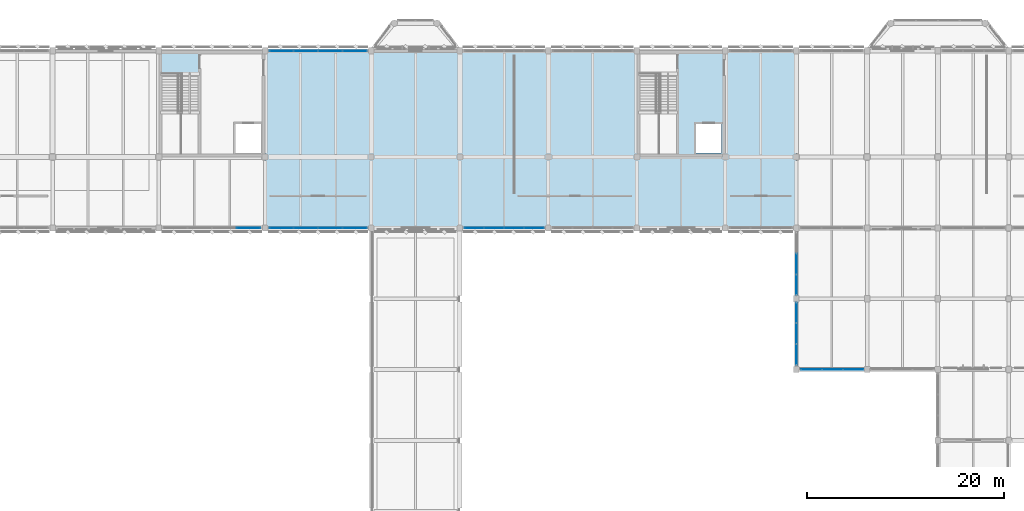
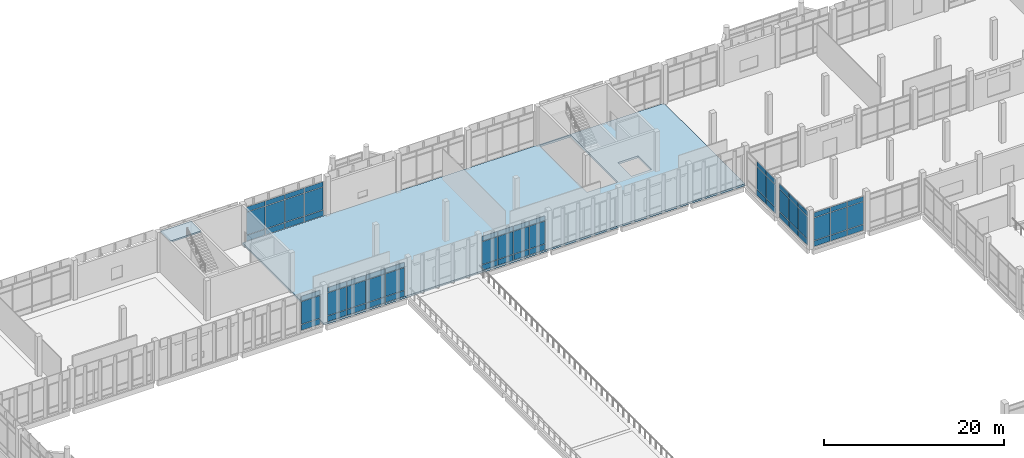
# One storey, part 146 of 180: 63 plates, 2 slabs, 8 elements without a shape of their own.
"""IFC4 building model written with IfcOpenShell, lengths in metres."""

from ifc_helpers import new_model, si_unit, direction, frame, origin, origin_2d, place, context, subcontext, project, spatial, polyline, rectangle, outline, extrude, material, layer, layer_set, type_object, element, aggregate, save


model = new_model("IFC4")

# Units and contexts
model_context = context("Model", 3, precision=1e-05, world=origin(), true_north=direction((0.0, 1.0)))
body_context = subcontext(model_context, "Body", "Model", "MODEL_VIEW")
ifc_project = project(units=[si_unit("LENGTHUNIT", "METRE"), si_unit("AREAUNIT", "SQUARE_METRE"), si_unit("VOLUMEUNIT", "CUBIC_METRE"), si_unit("PLANEANGLEUNIT", "RADIAN"), si_unit("MASSUNIT", "GRAM", prefix="KILO")], contexts=[model_context])

# Site, building, storey
site_placement = place(None, origin())
site = spatial("IfcSite", under=ifc_project, at=site_placement, CompositionType="ELEMENT")
building_placement = place(site_placement, origin())
building = spatial("IfcBuilding", under=site, at=building_placement, Name="Lusvemor Sports Hall", CompositionType="ELEMENT")
storey_placement = place(building_placement, frame((0.0, 0.0, 5.39990234375)))
storey = spatial("IfcBuildingStorey", under=building, at=storey_placement, Name="L01", CompositionType="ELEMENT", Elevation=5.39990234375)

# Curtain wall, plates
ifc_material_1 = material(Name="Thermally broken bronze-anodized aluminium", Category="aluminium")
curtain_wall_type = type_object("IfcCurtainWallType", Name="CW_WING_B", PredefinedType="NOTDEFINED", material=ifc_material_1)
curtain_wall_1_placement = place(storey_placement, origin())
curtain_wall_1 = element("IfcCurtainWall", 1, at=curtain_wall_1_placement, inside=storey, type_object=curtain_wall_type, Name="Curtain Wall CW-L01-N-1-6", PredefinedType="NOTDEFINED")
ifc_material_2 = material(Name="Solar-control laminated double glazing", Category="glass")
ifc_layer_1 = layer(ifc_material_2, 0.028076171875)
ifc_layer_set_1 = layer_set([ifc_layer_1], Name="Solar-control laminated double glazing")
plate_type_1 = type_object("IfcPlateType", Name="CW_PAN_GLZ_28", PredefinedType="CURTAIN_PANEL", material=ifc_layer_set_1)
plate_1_placement = place(storey_placement, frame((66.481201171875, 115.199951171875, 0.880126953125), z_axis=(0.0, 0.0, 1.0), x_axis=(1.0, 0.0, 0.0)))
plate_1 = element("IfcPlate", 2, at=plate_1_placement, type_object=plate_type_1, Name="CW02 panel 1.2", PredefinedType="CURTAIN_PANEL", context=body_context, shape_type="SweptSolid", body=[
    extrude(rectangle(XDim=2.392578125, YDim=0.028076171875, at=origin_2d()), origin(), (0.0, 0.0, 1.0), 3.06005859375),
])
plate_2_placement = place(storey_placement, frame((66.481201171875, 115.199951171875, 4.0), z_axis=(0.0, 0.0, 1.0), x_axis=(1.0, 0.0, 0.0)))
plate_2 = element("IfcPlate", 3, at=plate_2_placement, type_object=plate_type_1, Name="CW02 panel 1.3", PredefinedType="CURTAIN_PANEL", context=body_context, shape_type="SweptSolid", body=[
    extrude(rectangle(XDim=2.392578125, YDim=0.028076171875, at=origin_2d()), origin(), (0.0, 0.0, 1.0), 0.659912109375),
])
plate_3_placement = place(storey_placement, frame((68.955078125, 115.199951171875, 0.880126953125), z_axis=(0.0, 0.0, 1.0), x_axis=(1.0, 0.0, 0.0)))
plate_3 = element("IfcPlate", 4, at=plate_3_placement, type_object=plate_type_1, Name="CW02 panel 2.2", PredefinedType="CURTAIN_PANEL", context=body_context, shape_type="SweptSolid", body=[
    extrude(rectangle(XDim=2.425048828125, YDim=0.028076171875, at=origin_2d()), origin(), (0.0, 0.0, 1.0), 3.06005859375),
])
plate_4_placement = place(storey_placement, frame((68.955078125, 115.199951171875, 4.0), z_axis=(0.0, 0.0, 1.0), x_axis=(1.0, 0.0, 0.0)))
plate_4 = element("IfcPlate", 5, at=plate_4_placement, type_object=plate_type_1, Name="CW02 panel 2.3", PredefinedType="CURTAIN_PANEL", context=body_context, shape_type="SweptSolid", body=[
    extrude(rectangle(XDim=2.425048828125, YDim=0.028076171875, at=origin_2d()), origin(), (0.0, 0.0, 1.0), 0.659912109375),
])
plate_5_placement = place(storey_placement, frame((71.445068359375, 115.199951171875, 0.880126953125), z_axis=(0.0, 0.0, 1.0), x_axis=(1.0, 0.0, 0.0)))
plate_5 = element("IfcPlate", 6, at=plate_5_placement, type_object=plate_type_1, Name="CW02 panel 3.2", PredefinedType="CURTAIN_PANEL", context=body_context, shape_type="SweptSolid", body=[
    extrude(rectangle(XDim=2.425048828125, YDim=0.028076171875, at=origin_2d()), origin(), (0.0, 0.0, 1.0), 3.06005859375),
])
plate_6_placement = place(storey_placement, frame((71.445068359375, 115.199951171875, 4.0), z_axis=(0.0, 0.0, 1.0), x_axis=(1.0, 0.0, 0.0)))
plate_6 = element("IfcPlate", 7, at=plate_6_placement, type_object=plate_type_1, Name="CW02 panel 3.3", PredefinedType="CURTAIN_PANEL", context=body_context, shape_type="SweptSolid", body=[
    extrude(rectangle(XDim=2.425048828125, YDim=0.028076171875, at=origin_2d()), origin(), (0.0, 0.0, 1.0), 0.659912109375),
])
plate_7_placement = place(storey_placement, frame((73.918701171875, 115.199951171875, 0.880126953125), z_axis=(0.0, 0.0, 1.0), x_axis=(1.0, 0.0, 0.0)))
plate_7 = element("IfcPlate", 8, at=plate_7_placement, type_object=plate_type_1, Name="CW02 panel 4.2", PredefinedType="CURTAIN_PANEL", context=body_context, shape_type="SweptSolid", body=[
    extrude(rectangle(XDim=2.392578125, YDim=0.028076171875, at=origin_2d()), origin(), (0.0, 0.0, 1.0), 3.06005859375),
])
plate_8_placement = place(storey_placement, frame((73.918701171875, 115.199951171875, 4.0), z_axis=(0.0, 0.0, 1.0), x_axis=(1.0, 0.0, 0.0)))
plate_8 = element("IfcPlate", 9, at=plate_8_placement, type_object=plate_type_1, Name="CW02 panel 4.3", PredefinedType="CURTAIN_PANEL", context=body_context, shape_type="SweptSolid", body=[
    extrude(rectangle(XDim=2.392578125, YDim=0.028076171875, at=origin_2d()), origin(), (0.0, 0.0, 1.0), 0.659912109375),
])

curtain_wall_2_placement = place(storey_placement, origin())
curtain_wall_2 = element("IfcCurtainWall", 10, at=curtain_wall_2_placement, inside=storey, type_object=curtain_wall_type, Name="Curtain Wall CW-L01-S-3-3", PredefinedType="NOTDEFINED")
plate_9_placement = place(storey_placement, frame((63.11865234375, 97.199951171875, 0.880126953125), z_axis=(0.0, 0.0, 1.0), x_axis=(-1.0, 0.0, 0.0)))
plate_9 = element("IfcPlate", 11, at=plate_9_placement, type_object=plate_type_1, Name="CW02 panel 1.2", PredefinedType="CURTAIN_PANEL", context=body_context, shape_type="SweptSolid", body=[
    extrude(rectangle(XDim=2.392578125, YDim=0.028076171875, at=origin_2d()), origin(), (0.0, 0.0, 1.0), 3.06005859375),
])
plate_10_placement = place(storey_placement, frame((63.11865234375, 97.199951171875, 4.0), z_axis=(0.0, 0.0, 1.0), x_axis=(-1.0, 0.0, 0.0)))
plate_10 = element("IfcPlate", 12, at=plate_10_placement, type_object=plate_type_1, Name="CW02 panel 1.3", PredefinedType="CURTAIN_PANEL", context=body_context, shape_type="SweptSolid", body=[
    extrude(rectangle(XDim=2.392578125, YDim=0.028076171875, at=origin_2d()), origin(), (0.0, 0.0, 1.0), 0.659912109375),
])

curtain_wall_3_placement = place(storey_placement, origin())
curtain_wall_3 = element("IfcCurtainWall", 13, at=curtain_wall_3_placement, inside=storey, type_object=curtain_wall_type, Name="Curtain Wall CW-L01-S-3-4", PredefinedType="NOTDEFINED")
plate_11_placement = place(storey_placement, frame((73.918701171875, 97.199951171875, 0.880126953125), z_axis=(0.0, 0.0, 1.0), x_axis=(-1.0, 0.0, 0.0)))
plate_11 = element("IfcPlate", 14, at=plate_11_placement, type_object=plate_type_1, Name="CW02 panel 1.2", PredefinedType="CURTAIN_PANEL", context=body_context, shape_type="SweptSolid", body=[
    extrude(rectangle(XDim=2.392578125, YDim=0.028076171875, at=origin_2d()), origin(), (0.0, 0.0, 1.0), 3.06005859375),
])
plate_12_placement = place(storey_placement, frame((73.918701171875, 97.199951171875, 4.0), z_axis=(0.0, 0.0, 1.0), x_axis=(-1.0, 0.0, 0.0)))
plate_12 = element("IfcPlate", 15, at=plate_12_placement, type_object=plate_type_1, Name="CW02 panel 1.3", PredefinedType="CURTAIN_PANEL", context=body_context, shape_type="SweptSolid", body=[
    extrude(rectangle(XDim=2.392578125, YDim=0.028076171875, at=origin_2d()), origin(), (0.0, 0.0, 1.0), 0.659912109375),
])
plate_13_placement = place(storey_placement, frame((71.445068359375, 97.199951171875, 0.880126953125), z_axis=(0.0, 0.0, 1.0), x_axis=(-1.0, 0.0, 0.0)))
plate_13 = element("IfcPlate", 16, at=plate_13_placement, type_object=plate_type_1, Name="CW02 panel 2.2", PredefinedType="CURTAIN_PANEL", context=body_context, shape_type="SweptSolid", body=[
    extrude(rectangle(XDim=2.425048828125, YDim=0.028076171875, at=origin_2d()), origin(), (0.0, 0.0, 1.0), 3.06005859375),
])
plate_14_placement = place(storey_placement, frame((71.445068359375, 97.199951171875, 4.0), z_axis=(0.0, 0.0, 1.0), x_axis=(-1.0, 0.0, 0.0)))
plate_14 = element("IfcPlate", 17, at=plate_14_placement, type_object=plate_type_1, Name="CW02 panel 2.3", PredefinedType="CURTAIN_PANEL", context=body_context, shape_type="SweptSolid", body=[
    extrude(rectangle(XDim=2.425048828125, YDim=0.028076171875, at=origin_2d()), origin(), (0.0, 0.0, 1.0), 0.659912109375),
])
plate_15_placement = place(storey_placement, frame((68.955078125, 97.199951171875, 0.880126953125), z_axis=(0.0, 0.0, 1.0), x_axis=(-1.0, 0.0, 0.0)))
plate_15 = element("IfcPlate", 18, at=plate_15_placement, type_object=plate_type_1, Name="CW02 panel 3.2", PredefinedType="CURTAIN_PANEL", context=body_context, shape_type="SweptSolid", body=[
    extrude(rectangle(XDim=2.425048828125, YDim=0.028076171875, at=origin_2d()), origin(), (0.0, 0.0, 1.0), 3.06005859375),
])
plate_16_placement = place(storey_placement, frame((68.955078125, 97.199951171875, 4.0), z_axis=(0.0, 0.0, 1.0), x_axis=(-1.0, 0.0, 0.0)))
plate_16 = element("IfcPlate", 19, at=plate_16_placement, type_object=plate_type_1, Name="CW02 panel 3.3", PredefinedType="CURTAIN_PANEL", context=body_context, shape_type="SweptSolid", body=[
    extrude(rectangle(XDim=2.425048828125, YDim=0.028076171875, at=origin_2d()), origin(), (0.0, 0.0, 1.0), 0.659912109375),
])
plate_17_placement = place(storey_placement, frame((66.481201171875, 97.199951171875, 0.880126953125), z_axis=(0.0, 0.0, 1.0), x_axis=(-1.0, 0.0, 0.0)))
plate_17 = element("IfcPlate", 20, at=plate_17_placement, type_object=plate_type_1, Name="CW02 panel 4.2", PredefinedType="CURTAIN_PANEL", context=body_context, shape_type="SweptSolid", body=[
    extrude(rectangle(XDim=2.392578125, YDim=0.028076171875, at=origin_2d()), origin(), (0.0, 0.0, 1.0), 3.06005859375),
])
plate_18_placement = place(storey_placement, frame((66.481201171875, 97.199951171875, 4.0), z_axis=(0.0, 0.0, 1.0), x_axis=(-1.0, 0.0, 0.0)))
plate_18 = element("IfcPlate", 21, at=plate_18_placement, type_object=plate_type_1, Name="CW02 panel 4.3", PredefinedType="CURTAIN_PANEL", context=body_context, shape_type="SweptSolid", body=[
    extrude(rectangle(XDim=2.392578125, YDim=0.028076171875, at=origin_2d()), origin(), (0.0, 0.0, 1.0), 0.659912109375),
])

curtain_wall_4_placement = place(storey_placement, origin())
curtain_wall_4 = element("IfcCurtainWall", 22, at=curtain_wall_4_placement, inside=storey, type_object=curtain_wall_type, Name="Curtain Wall CW-L01-S-3-6", PredefinedType="NOTDEFINED")
plate_19_placement = place(storey_placement, frame((92.143798828125, 97.199951171875, 0.880126953125), z_axis=(0.0, 0.0, 1.0), x_axis=(-1.0, 0.0, 0.0)))
plate_19 = element("IfcPlate", 23, at=plate_19_placement, type_object=plate_type_1, Name="CW02 panel 1.2", PredefinedType="CURTAIN_PANEL", context=body_context, shape_type="SweptSolid", body=[
    extrude(rectangle(XDim=1.9423828125, YDim=0.028076171875, at=origin_2d()), origin(), (0.0, 0.0, 1.0), 3.06005859375),
])
plate_20_placement = place(storey_placement, frame((92.143798828125, 97.199951171875, 4.0), z_axis=(0.0, 0.0, 1.0), x_axis=(-1.0, 0.0, 0.0)))
plate_20 = element("IfcPlate", 24, at=plate_20_placement, type_object=plate_type_1, Name="CW02 panel 1.3", PredefinedType="CURTAIN_PANEL", context=body_context, shape_type="SweptSolid", body=[
    extrude(rectangle(XDim=1.9423828125, YDim=0.028076171875, at=origin_2d()), origin(), (0.0, 0.0, 1.0), 0.659912109375),
])
plate_21_placement = place(storey_placement, frame((90.1201171875, 97.199951171875, 0.880126953125), z_axis=(0.0, 0.0, 1.0), x_axis=(-1.0, 0.0, 0.0)))
plate_21 = element("IfcPlate", 25, at=plate_21_placement, type_object=plate_type_1, Name="CW02 panel 2.2", PredefinedType="CURTAIN_PANEL", context=body_context, shape_type="SweptSolid", body=[
    extrude(rectangle(XDim=1.97509765625, YDim=0.028076171875, at=origin_2d()), origin(), (0.0, 0.0, 1.0), 3.06005859375),
])
plate_22_placement = place(storey_placement, frame((90.1201171875, 97.199951171875, 4.0), z_axis=(0.0, 0.0, 1.0), x_axis=(-1.0, 0.0, 0.0)))
plate_22 = element("IfcPlate", 26, at=plate_22_placement, type_object=plate_type_1, Name="CW02 panel 2.3", PredefinedType="CURTAIN_PANEL", context=body_context, shape_type="SweptSolid", body=[
    extrude(rectangle(XDim=1.97509765625, YDim=0.028076171875, at=origin_2d()), origin(), (0.0, 0.0, 1.0), 0.659912109375),
])
plate_23_placement = place(storey_placement, frame((88.080078125, 97.199951171875, 0.880126953125), z_axis=(0.0, 0.0, 1.0), x_axis=(-1.0, 0.0, 0.0)))
plate_23 = element("IfcPlate", 27, at=plate_23_placement, type_object=plate_type_1, Name="CW02 panel 3.2", PredefinedType="CURTAIN_PANEL", context=body_context, shape_type="SweptSolid", body=[
    extrude(rectangle(XDim=1.97509765625, YDim=0.028076171875, at=origin_2d()), origin(), (0.0, 0.0, 1.0), 3.06005859375),
])
plate_24_placement = place(storey_placement, frame((88.080078125, 97.199951171875, 4.0), z_axis=(0.0, 0.0, 1.0), x_axis=(-1.0, 0.0, 0.0)))
plate_24 = element("IfcPlate", 28, at=plate_24_placement, type_object=plate_type_1, Name="CW02 panel 3.3", PredefinedType="CURTAIN_PANEL", context=body_context, shape_type="SweptSolid", body=[
    extrude(rectangle(XDim=1.97509765625, YDim=0.028076171875, at=origin_2d()), origin(), (0.0, 0.0, 1.0), 0.659912109375),
])
plate_25_placement = place(storey_placement, frame((86.05615234375, 97.199951171875, 0.880126953125), z_axis=(0.0, 0.0, 1.0), x_axis=(-1.0, 0.0, 0.0)))
plate_25 = element("IfcPlate", 29, at=plate_25_placement, type_object=plate_type_1, Name="CW02 panel 4.2", PredefinedType="CURTAIN_PANEL", context=body_context, shape_type="SweptSolid", body=[
    extrude(rectangle(XDim=1.9423828125, YDim=0.028076171875, at=origin_2d()), origin(), (0.0, 0.0, 1.0), 3.06005859375),
])
plate_26_placement = place(storey_placement, frame((86.05615234375, 97.199951171875, 4.0), z_axis=(0.0, 0.0, 1.0), x_axis=(-1.0, 0.0, 0.0)))
plate_26 = element("IfcPlate", 30, at=plate_26_placement, type_object=plate_type_1, Name="CW02 panel 4.3", PredefinedType="CURTAIN_PANEL", context=body_context, shape_type="SweptSolid", body=[
    extrude(rectangle(XDim=1.9423828125, YDim=0.028076171875, at=origin_2d()), origin(), (0.0, 0.0, 1.0), 0.659912109375),
])

curtain_wall_5_placement = place(storey_placement, origin())
curtain_wall_5 = element("IfcCurtainWall", 31, at=curtain_wall_5_placement, inside=storey, type_object=curtain_wall_type, Name="Curtain Wall CW-V5NE-W-L01-A", PredefinedType="NOTDEFINED")
plate_27_placement = place(storey_placement, frame((118.800048828125, 84.324462890625, 0.880126953125), z_axis=(0.0, 0.0, 1.0), x_axis=(0.0, 1.0, 0.0)))
plate_27 = element("IfcPlate", 32, at=plate_27_placement, type_object=plate_type_1, Name="CW02 panel 1.2", PredefinedType="CURTAIN_PANEL", context=body_context, shape_type="SweptSolid", body=[
    extrude(rectangle(XDim=2.0390625, YDim=0.028076171875, at=origin_2d()), origin(), (0.0, 0.0, 1.0), 3.0400390625),
])
plate_28_placement = place(storey_placement, frame((118.800048828125, 84.324462890625, 3.97998046875), z_axis=(0.0, 0.0, 1.0), x_axis=(0.0, 1.0, 0.0)))
plate_28 = element("IfcPlate", 33, at=plate_28_placement, type_object=plate_type_1, Name="CW02 panel 1.3", PredefinedType="CURTAIN_PANEL", context=body_context, shape_type="SweptSolid", body=[
    extrude(rectangle(XDim=2.0390625, YDim=0.028076171875, at=origin_2d()), origin(), (0.0, 0.0, 1.0), 0.659912109375),
])
plate_29_placement = place(storey_placement, frame((118.800048828125, 86.445068359375, 0.880126953125), z_axis=(0.0, 0.0, 1.0), x_axis=(0.0, 1.0, 0.0)))
plate_29 = element("IfcPlate", 34, at=plate_29_placement, type_object=plate_type_1, Name="CW02 panel 2.2", PredefinedType="CURTAIN_PANEL", context=body_context, shape_type="SweptSolid", body=[
    extrude(rectangle(XDim=2.07177734375, YDim=0.028076171875, at=origin_2d()), origin(), (0.0, 0.0, 1.0), 3.0400390625),
])
plate_30_placement = place(storey_placement, frame((118.800048828125, 86.445068359375, 3.97998046875), z_axis=(0.0, 0.0, 1.0), x_axis=(0.0, 1.0, 0.0)))
plate_30 = element("IfcPlate", 35, at=plate_30_placement, type_object=plate_type_1, Name="CW02 panel 2.3", PredefinedType="CURTAIN_PANEL", context=body_context, shape_type="SweptSolid", body=[
    extrude(rectangle(XDim=2.07177734375, YDim=0.028076171875, at=origin_2d()), origin(), (0.0, 0.0, 1.0), 0.659912109375),
])
plate_31_placement = place(storey_placement, frame((118.800048828125, 88.5654296875, 0.880126953125), z_axis=(0.0, 0.0, 1.0), x_axis=(0.0, 1.0, 0.0)))
plate_31 = element("IfcPlate", 36, at=plate_31_placement, type_object=plate_type_1, Name="CW02 panel 3.2", PredefinedType="CURTAIN_PANEL", context=body_context, shape_type="SweptSolid", body=[
    extrude(rectangle(XDim=2.0390625, YDim=0.028076171875, at=origin_2d()), origin(), (0.0, 0.0, 1.0), 3.0400390625),
])
plate_32_placement = place(storey_placement, frame((118.800048828125, 88.5654296875, 3.97998046875), z_axis=(0.0, 0.0, 1.0), x_axis=(0.0, 1.0, 0.0)))
plate_32 = element("IfcPlate", 37, at=plate_32_placement, type_object=plate_type_1, Name="CW02 panel 3.3", PredefinedType="CURTAIN_PANEL", context=body_context, shape_type="SweptSolid", body=[
    extrude(rectangle(XDim=2.0390625, YDim=0.028076171875, at=origin_2d()), origin(), (0.0, 0.0, 1.0), 0.659912109375),
])

curtain_wall_6_placement = place(storey_placement, origin())
curtain_wall_6 = element("IfcCurtainWall", 38, at=curtain_wall_6_placement, inside=storey, type_object=curtain_wall_type, Name="Curtain Wall CW-V5NE-W-L01-B", PredefinedType="NOTDEFINED")
plate_33_placement = place(storey_placement, frame((118.800048828125, 91.4345703125, 0.880126953125), z_axis=(0.0, 0.0, 1.0), x_axis=(0.0, 1.0, 0.0)))
plate_33 = element("IfcPlate", 39, at=plate_33_placement, type_object=plate_type_1, Name="CW02 panel 1.2", PredefinedType="CURTAIN_PANEL", context=body_context, shape_type="SweptSolid", body=[
    extrude(rectangle(XDim=2.0390625, YDim=0.028076171875, at=origin_2d()), origin(), (0.0, 0.0, 1.0), 3.0400390625),
])
plate_34_placement = place(storey_placement, frame((118.800048828125, 91.4345703125, 3.97998046875), z_axis=(0.0, 0.0, 1.0), x_axis=(0.0, 1.0, 0.0)))
plate_34 = element("IfcPlate", 40, at=plate_34_placement, type_object=plate_type_1, Name="CW02 panel 1.3", PredefinedType="CURTAIN_PANEL", context=body_context, shape_type="SweptSolid", body=[
    extrude(rectangle(XDim=2.0390625, YDim=0.028076171875, at=origin_2d()), origin(), (0.0, 0.0, 1.0), 0.659912109375),
])
plate_35_placement = place(storey_placement, frame((118.800048828125, 93.554931640625, 0.880126953125), z_axis=(0.0, 0.0, 1.0), x_axis=(0.0, 1.0, 0.0)))
plate_35 = element("IfcPlate", 41, at=plate_35_placement, type_object=plate_type_1, Name="CW02 panel 2.2", PredefinedType="CURTAIN_PANEL", context=body_context, shape_type="SweptSolid", body=[
    extrude(rectangle(XDim=2.07177734375, YDim=0.028076171875, at=origin_2d()), origin(), (0.0, 0.0, 1.0), 3.0400390625),
])
plate_36_placement = place(storey_placement, frame((118.800048828125, 93.554931640625, 3.97998046875), z_axis=(0.0, 0.0, 1.0), x_axis=(0.0, 1.0, 0.0)))
plate_36 = element("IfcPlate", 42, at=plate_36_placement, type_object=plate_type_1, Name="CW02 panel 2.3", PredefinedType="CURTAIN_PANEL", context=body_context, shape_type="SweptSolid", body=[
    extrude(rectangle(XDim=2.07177734375, YDim=0.028076171875, at=origin_2d()), origin(), (0.0, 0.0, 1.0), 0.659912109375),
])

curtain_wall_7_placement = place(storey_placement, origin())
curtain_wall_7 = element("IfcCurtainWall", 43, at=curtain_wall_7_placement, inside=storey, type_object=curtain_wall_type, Name="Curtain Wall CW-V5NE-S-L01-B", PredefinedType="NOTDEFINED")
plate_37_placement = place(storey_placement, frame((124.5986328125, 82.800048828125, 0.880126953125), z_axis=(0.0, 0.0, 1.0), x_axis=(-1.0, 0.0, 0.0)))
plate_37 = element("IfcPlate", 44, at=plate_37_placement, type_object=plate_type_1, Name="CW02 panel 1.2", PredefinedType="CURTAIN_PANEL", context=body_context, shape_type="SweptSolid", body=[
    extrude(rectangle(XDim=2.052490234375, YDim=0.028076171875, at=origin_2d()), origin(), (0.0, 0.0, 1.0), 3.0400390625),
])
plate_38_placement = place(storey_placement, frame((124.5986328125, 82.800048828125, 3.97998046875), z_axis=(0.0, 0.0, 1.0), x_axis=(-1.0, 0.0, 0.0)))
plate_38 = element("IfcPlate", 45, at=plate_38_placement, type_object=plate_type_1, Name="CW02 panel 1.3", PredefinedType="CURTAIN_PANEL", context=body_context, shape_type="SweptSolid", body=[
    extrude(rectangle(XDim=2.052490234375, YDim=0.028076171875, at=origin_2d()), origin(), (0.0, 0.0, 1.0), 0.659912109375),
])
plate_39_placement = place(storey_placement, frame((122.465087890625, 82.800048828125, 0.880126953125), z_axis=(0.0, 0.0, 1.0), x_axis=(-1.0, 0.0, 0.0)))
plate_39 = element("IfcPlate", 46, at=plate_39_placement, type_object=plate_type_1, Name="CW02 panel 2.2", PredefinedType="CURTAIN_PANEL", context=body_context, shape_type="SweptSolid", body=[
    extrude(rectangle(XDim=2.0849609375, YDim=0.028076171875, at=origin_2d()), origin(), (0.0, 0.0, 1.0), 3.0400390625),
])
plate_40_placement = place(storey_placement, frame((122.465087890625, 82.800048828125, 3.97998046875), z_axis=(0.0, 0.0, 1.0), x_axis=(-1.0, 0.0, 0.0)))
plate_40 = element("IfcPlate", 47, at=plate_40_placement, type_object=plate_type_1, Name="CW02 panel 2.3", PredefinedType="CURTAIN_PANEL", context=body_context, shape_type="SweptSolid", body=[
    extrude(rectangle(XDim=2.0849609375, YDim=0.028076171875, at=origin_2d()), origin(), (0.0, 0.0, 1.0), 0.659912109375),
])
plate_41_placement = place(storey_placement, frame((120.331298828125, 82.800048828125, 0.880126953125), z_axis=(0.0, 0.0, 1.0), x_axis=(-1.0, 0.0, 0.0)))
plate_41 = element("IfcPlate", 48, at=plate_41_placement, type_object=plate_type_1, Name="CW02 panel 3.2", PredefinedType="CURTAIN_PANEL", context=body_context, shape_type="SweptSolid", body=[
    extrude(rectangle(XDim=2.052490234375, YDim=0.028076171875, at=origin_2d()), origin(), (0.0, 0.0, 1.0), 3.0400390625),
])
plate_42_placement = place(storey_placement, frame((120.331298828125, 82.800048828125, 3.97998046875), z_axis=(0.0, 0.0, 1.0), x_axis=(-1.0, 0.0, 0.0)))
plate_42 = element("IfcPlate", 49, at=plate_42_placement, type_object=plate_type_1, Name="CW02 panel 3.3", PredefinedType="CURTAIN_PANEL", context=body_context, shape_type="SweptSolid", body=[
    extrude(rectangle(XDim=2.052490234375, YDim=0.028076171875, at=origin_2d()), origin(), (0.0, 0.0, 1.0), 0.659912109375),
])

# Plate
ifc_material_3 = material(Name="Emerald polychrome glazed ceramic cladding on Concrete C40/50 backing", Category="concrete")
ifc_layer_2 = layer(ifc_material_3, 0.048095703125)
ifc_layer_set_2 = layer_set([ifc_layer_2], Name="Emerald polychrome glazed ceramic cladding on Concrete C40/50 backing")
plate_type_2 = type_object("IfcPlateType", Name="CW_PAN_SPN_48", PredefinedType="CURTAIN_PANEL", material=ifc_layer_set_2)
plate_43_placement = place(storey_placement, frame((66.481201171875, 115.199951171875, 0.06005859375), z_axis=(0.0, 0.0, 1.0), x_axis=(1.0, 0.0, 0.0)))
plate_43 = element("IfcPlate", 50, at=plate_43_placement, type_object=plate_type_2, Name="CW02 panel 1.1", PredefinedType="CURTAIN_PANEL", context=body_context, shape_type="SweptSolid", body=[
    extrude(rectangle(XDim=2.392578125, YDim=0.048095703125, at=origin_2d()), origin(), (0.0, 0.0, 1.0), 0.760009765625),
])

plate_44_placement = place(storey_placement, frame((68.955078125, 115.199951171875, 0.06005859375), z_axis=(0.0, 0.0, 1.0), x_axis=(1.0, 0.0, 0.0)))
plate_44 = element("IfcPlate", 51, at=plate_44_placement, type_object=plate_type_2, Name="CW02 panel 2.1", PredefinedType="CURTAIN_PANEL", context=body_context, shape_type="SweptSolid", body=[
    extrude(rectangle(XDim=2.425048828125, YDim=0.048095703125, at=origin_2d()), origin(), (0.0, 0.0, 1.0), 0.760009765625),
])

plate_45_placement = place(storey_placement, frame((71.445068359375, 115.199951171875, 0.06005859375), z_axis=(0.0, 0.0, 1.0), x_axis=(1.0, 0.0, 0.0)))
plate_45 = element("IfcPlate", 52, at=plate_45_placement, type_object=plate_type_2, Name="CW02 panel 3.1", PredefinedType="CURTAIN_PANEL", context=body_context, shape_type="SweptSolid", body=[
    extrude(rectangle(XDim=2.425048828125, YDim=0.048095703125, at=origin_2d()), origin(), (0.0, 0.0, 1.0), 0.760009765625),
])

plate_46_placement = place(storey_placement, frame((73.918701171875, 115.199951171875, 0.06005859375), z_axis=(0.0, 0.0, 1.0), x_axis=(1.0, 0.0, 0.0)))
plate_46 = element("IfcPlate", 53, at=plate_46_placement, type_object=plate_type_2, Name="CW02 panel 4.1", PredefinedType="CURTAIN_PANEL", context=body_context, shape_type="SweptSolid", body=[
    extrude(rectangle(XDim=2.392578125, YDim=0.048095703125, at=origin_2d()), origin(), (0.0, 0.0, 1.0), 0.760009765625),
])

aggregate(curtain_wall_1, [plate_43, plate_1, plate_2, plate_44, plate_3, plate_4, plate_45, plate_5, plate_6, plate_46, plate_7, plate_8])

plate_47_placement = place(storey_placement, frame((63.11865234375, 97.199951171875, 0.06005859375), z_axis=(0.0, 0.0, 1.0), x_axis=(-1.0, 0.0, 0.0)))
plate_47 = element("IfcPlate", 54, at=plate_47_placement, type_object=plate_type_2, Name="CW02 panel 1.1", PredefinedType="CURTAIN_PANEL", context=body_context, shape_type="SweptSolid", body=[
    extrude(rectangle(XDim=2.392578125, YDim=0.048095703125, at=origin_2d()), origin(), (0.0, 0.0, 1.0), 0.760009765625),
])

aggregate(curtain_wall_2, [plate_47, plate_9, plate_10])

plate_48_placement = place(storey_placement, frame((73.918701171875, 97.199951171875, 0.06005859375), z_axis=(0.0, 0.0, 1.0), x_axis=(-1.0, 0.0, 0.0)))
plate_48 = element("IfcPlate", 55, at=plate_48_placement, type_object=plate_type_2, Name="CW02 panel 1.1", PredefinedType="CURTAIN_PANEL", context=body_context, shape_type="SweptSolid", body=[
    extrude(rectangle(XDim=2.392578125, YDim=0.048095703125, at=origin_2d()), origin(), (0.0, 0.0, 1.0), 0.760009765625),
])

plate_49_placement = place(storey_placement, frame((71.445068359375, 97.199951171875, 0.06005859375), z_axis=(0.0, 0.0, 1.0), x_axis=(-1.0, 0.0, 0.0)))
plate_49 = element("IfcPlate", 56, at=plate_49_placement, type_object=plate_type_2, Name="CW02 panel 2.1", PredefinedType="CURTAIN_PANEL", context=body_context, shape_type="SweptSolid", body=[
    extrude(rectangle(XDim=2.425048828125, YDim=0.048095703125, at=origin_2d()), origin(), (0.0, 0.0, 1.0), 0.760009765625),
])

plate_50_placement = place(storey_placement, frame((68.955078125, 97.199951171875, 0.06005859375), z_axis=(0.0, 0.0, 1.0), x_axis=(-1.0, 0.0, 0.0)))
plate_50 = element("IfcPlate", 57, at=plate_50_placement, type_object=plate_type_2, Name="CW02 panel 3.1", PredefinedType="CURTAIN_PANEL", context=body_context, shape_type="SweptSolid", body=[
    extrude(rectangle(XDim=2.425048828125, YDim=0.048095703125, at=origin_2d()), origin(), (0.0, 0.0, 1.0), 0.760009765625),
])

plate_51_placement = place(storey_placement, frame((66.481201171875, 97.199951171875, 0.06005859375), z_axis=(0.0, 0.0, 1.0), x_axis=(-1.0, 0.0, 0.0)))
plate_51 = element("IfcPlate", 58, at=plate_51_placement, type_object=plate_type_2, Name="CW02 panel 4.1", PredefinedType="CURTAIN_PANEL", context=body_context, shape_type="SweptSolid", body=[
    extrude(rectangle(XDim=2.392578125, YDim=0.048095703125, at=origin_2d()), origin(), (0.0, 0.0, 1.0), 0.760009765625),
])

aggregate(curtain_wall_3, [plate_48, plate_11, plate_12, plate_49, plate_13, plate_14, plate_50, plate_15, plate_16, plate_51, plate_17, plate_18])

plate_52_placement = place(storey_placement, frame((92.143798828125, 97.199951171875, 0.06005859375), z_axis=(0.0, 0.0, 1.0), x_axis=(-1.0, 0.0, 0.0)))
plate_52 = element("IfcPlate", 59, at=plate_52_placement, type_object=plate_type_2, Name="CW02 panel 1.1", PredefinedType="CURTAIN_PANEL", context=body_context, shape_type="SweptSolid", body=[
    extrude(rectangle(XDim=1.9423828125, YDim=0.048095703125, at=origin_2d()), origin(), (0.0, 0.0, 1.0), 0.760009765625),
])

plate_53_placement = place(storey_placement, frame((90.1201171875, 97.199951171875, 0.06005859375), z_axis=(0.0, 0.0, 1.0), x_axis=(-1.0, 0.0, 0.0)))
plate_53 = element("IfcPlate", 60, at=plate_53_placement, type_object=plate_type_2, Name="CW02 panel 2.1", PredefinedType="CURTAIN_PANEL", context=body_context, shape_type="SweptSolid", body=[
    extrude(rectangle(XDim=1.97509765625, YDim=0.048095703125, at=origin_2d()), origin(), (0.0, 0.0, 1.0), 0.760009765625),
])

plate_54_placement = place(storey_placement, frame((88.080078125, 97.199951171875, 0.06005859375), z_axis=(0.0, 0.0, 1.0), x_axis=(-1.0, 0.0, 0.0)))
plate_54 = element("IfcPlate", 61, at=plate_54_placement, type_object=plate_type_2, Name="CW02 panel 3.1", PredefinedType="CURTAIN_PANEL", context=body_context, shape_type="SweptSolid", body=[
    extrude(rectangle(XDim=1.97509765625, YDim=0.048095703125, at=origin_2d()), origin(), (0.0, 0.0, 1.0), 0.760009765625),
])

plate_55_placement = place(storey_placement, frame((86.05615234375, 97.199951171875, 0.06005859375), z_axis=(0.0, 0.0, 1.0), x_axis=(-1.0, 0.0, 0.0)))
plate_55 = element("IfcPlate", 62, at=plate_55_placement, type_object=plate_type_2, Name="CW02 panel 4.1", PredefinedType="CURTAIN_PANEL", context=body_context, shape_type="SweptSolid", body=[
    extrude(rectangle(XDim=1.9423828125, YDim=0.048095703125, at=origin_2d()), origin(), (0.0, 0.0, 1.0), 0.760009765625),
])

aggregate(curtain_wall_4, [plate_52, plate_19, plate_20, plate_53, plate_21, plate_22, plate_54, plate_23, plate_24, plate_55, plate_25, plate_26])

plate_56_placement = place(storey_placement, frame((118.800048828125, 84.324462890625, 0.06005859375), z_axis=(0.0, 0.0, 1.0), x_axis=(0.0, 1.0, 0.0)))
plate_56 = element("IfcPlate", 63, at=plate_56_placement, type_object=plate_type_2, Name="CW02 panel 1.1", PredefinedType="CURTAIN_PANEL", context=body_context, shape_type="SweptSolid", body=[
    extrude(rectangle(XDim=2.0390625, YDim=0.048095703125, at=origin_2d()), origin(), (0.0, 0.0, 1.0), 0.760009765625),
])

plate_57_placement = place(storey_placement, frame((118.800048828125, 86.445068359375, 0.06005859375), z_axis=(0.0, 0.0, 1.0), x_axis=(0.0, 1.0, 0.0)))
plate_57 = element("IfcPlate", 64, at=plate_57_placement, type_object=plate_type_2, Name="CW02 panel 2.1", PredefinedType="CURTAIN_PANEL", context=body_context, shape_type="SweptSolid", body=[
    extrude(rectangle(XDim=2.07177734375, YDim=0.048095703125, at=origin_2d()), origin(), (0.0, 0.0, 1.0), 0.760009765625),
])

plate_58_placement = place(storey_placement, frame((118.800048828125, 88.5654296875, 0.06005859375), z_axis=(0.0, 0.0, 1.0), x_axis=(0.0, 1.0, 0.0)))
plate_58 = element("IfcPlate", 65, at=plate_58_placement, type_object=plate_type_2, Name="CW02 panel 3.1", PredefinedType="CURTAIN_PANEL", context=body_context, shape_type="SweptSolid", body=[
    extrude(rectangle(XDim=2.0390625, YDim=0.048095703125, at=origin_2d()), origin(), (0.0, 0.0, 1.0), 0.760009765625),
])

aggregate(curtain_wall_5, [plate_56, plate_27, plate_28, plate_57, plate_29, plate_30, plate_58, plate_31, plate_32])

plate_59_placement = place(storey_placement, frame((118.800048828125, 91.4345703125, 0.06005859375), z_axis=(0.0, 0.0, 1.0), x_axis=(0.0, 1.0, 0.0)))
plate_59 = element("IfcPlate", 66, at=plate_59_placement, type_object=plate_type_2, Name="CW02 panel 1.1", PredefinedType="CURTAIN_PANEL", context=body_context, shape_type="SweptSolid", body=[
    extrude(rectangle(XDim=2.0390625, YDim=0.048095703125, at=origin_2d()), origin(), (0.0, 0.0, 1.0), 0.760009765625),
])

plate_60_placement = place(storey_placement, frame((118.800048828125, 93.554931640625, 0.06005859375), z_axis=(0.0, 0.0, 1.0), x_axis=(0.0, 1.0, 0.0)))
plate_60 = element("IfcPlate", 67, at=plate_60_placement, type_object=plate_type_2, Name="CW02 panel 2.1", PredefinedType="CURTAIN_PANEL", context=body_context, shape_type="SweptSolid", body=[
    extrude(rectangle(XDim=2.07177734375, YDim=0.048095703125, at=origin_2d()), origin(), (0.0, 0.0, 1.0), 0.760009765625),
])

aggregate(curtain_wall_6, [plate_59, plate_33, plate_34, plate_60, plate_35, plate_36])

plate_61_placement = place(storey_placement, frame((124.5986328125, 82.800048828125, 0.06005859375), z_axis=(0.0, 0.0, 1.0), x_axis=(-1.0, 0.0, 0.0)))
plate_61 = element("IfcPlate", 68, at=plate_61_placement, type_object=plate_type_2, Name="CW02 panel 1.1", PredefinedType="CURTAIN_PANEL", context=body_context, shape_type="SweptSolid", body=[
    extrude(rectangle(XDim=2.052490234375, YDim=0.048095703125, at=origin_2d()), origin(), (0.0, 0.0, 1.0), 0.760009765625),
])

plate_62_placement = place(storey_placement, frame((122.465087890625, 82.800048828125, 0.06005859375), z_axis=(0.0, 0.0, 1.0), x_axis=(-1.0, 0.0, 0.0)))
plate_62 = element("IfcPlate", 69, at=plate_62_placement, type_object=plate_type_2, Name="CW02 panel 2.1", PredefinedType="CURTAIN_PANEL", context=body_context, shape_type="SweptSolid", body=[
    extrude(rectangle(XDim=2.0849609375, YDim=0.048095703125, at=origin_2d()), origin(), (0.0, 0.0, 1.0), 0.760009765625),
])

plate_63_placement = place(storey_placement, frame((120.331298828125, 82.800048828125, 0.06005859375), z_axis=(0.0, 0.0, 1.0), x_axis=(-1.0, 0.0, 0.0)))
plate_63 = element("IfcPlate", 70, at=plate_63_placement, type_object=plate_type_2, Name="CW02 panel 3.1", PredefinedType="CURTAIN_PANEL", context=body_context, shape_type="SweptSolid", body=[
    extrude(rectangle(XDim=2.052490234375, YDim=0.048095703125, at=origin_2d()), origin(), (0.0, 0.0, 1.0), 0.760009765625),
])

aggregate(curtain_wall_7, [plate_61, plate_37, plate_38, plate_62, plate_39, plate_40, plate_63, plate_41, plate_42])

# Slab
ifc_material_4 = material(Name="Concrete C40/50", Category="concrete")
ifc_layer_3 = layer(ifc_material_4, 0.260009765625)
ifc_layer_set_3 = layer_set([ifc_layer_3], Name="Concrete C40/50")
slab_type_1 = type_object("IfcSlabType", Name="SLAB_INT_260", PredefinedType="FLOOR", material=ifc_layer_set_3)
slab_1_placement = place(storey_placement, frame((0.0, 0.0, -0.260009765625)))
element("IfcSlab", 71, at=slab_1_placement, inside=storey, type_object=slab_type_1, Name="Slab L01 V5-CN", PredefinedType="FLOOR", context=body_context, shape_type="SweptSolid", body=[
    extrude(outline(polyline([(64.800048828125, 97.199951171875), (118.800048828125, 97.199951171875), (118.800048828125, 115.199951171875), (64.800048828125, 115.199951171875), (64.800048828125, 97.199951171875)]), holes=[polyline([(102.760009765625, 104.56005859375), (106.739990234375, 104.56005859375), (106.739990234375, 115.0400390625), (102.760009765625, 115.0400390625), (102.760009765625, 104.56005859375)]), polyline([(108.60009765625, 104.800048828125), (111.199951171875, 104.800048828125), (111.199951171875, 107.800048828125), (108.60009765625, 107.800048828125), (108.60009765625, 104.800048828125)])]), origin(), (0.0, 0.0, 1.0), 0.260009765625),
])

# Stair, slab
ifc_material_5 = material(Name="Concrete C40/50", Category="concrete")
stair_type = type_object("IfcStairType", Name="STAIR_CORE_540", PredefinedType="HALF_TURN_STAIR", material=ifc_material_5)
stair_placement = place(storey_placement, origin())
stair = element("IfcStair", 72, at=stair_placement, inside=storey, type_object=stair_type, Name="Escape Stair C2 (L01)", PredefinedType="HALF_TURN_STAIR")
ifc_material_6 = material(Name="Concrete C40/50", Category="concrete")
ifc_layer_4 = layer(ifc_material_6, 0.199951171875)
ifc_layer_set_4 = layer_set([ifc_layer_4], Name="Concrete C40/50")
slab_type_2 = type_object("IfcSlabType", Name="SLAB_LAND_200", PredefinedType="LANDING", material=ifc_layer_set_4)
slab_2_placement = place(storey_placement, frame((0.0, 0.0, 5.2001953125)))
slab_2 = element("IfcSlab", 73, at=slab_2_placement, type_object=slab_type_2, Name="ST01 landing 2", PredefinedType="LANDING", context=body_context, shape_type="SweptSolid", body=[
    extrude(outline(polyline([(54.179931640625, 112.81005859375), (58.1201171875, 112.81005859375), (58.1201171875, 115.02001953125), (54.179931640625, 115.02001953125), (54.179931640625, 112.81005859375)])), origin(), (0.0, 0.0, 1.0), 0.199951171875),
])
aggregate(stair, [slab_2])

save(model, "model.ifc")
